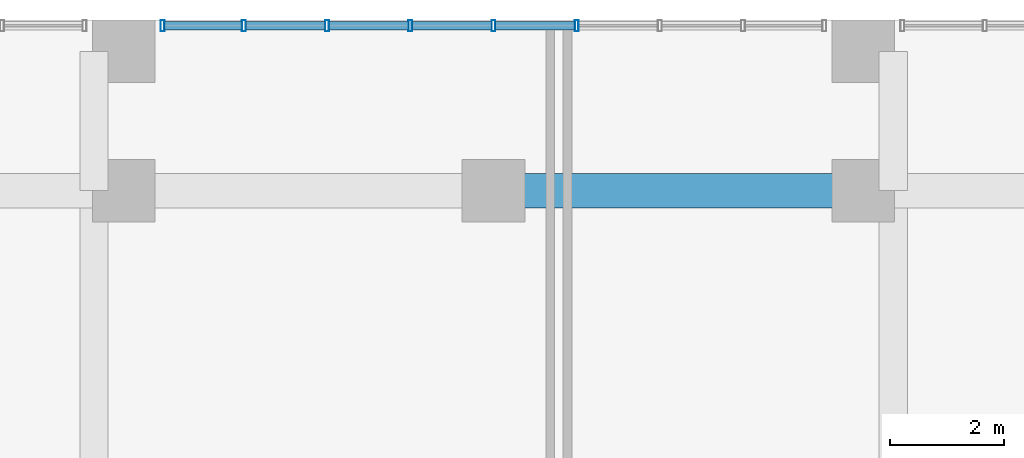
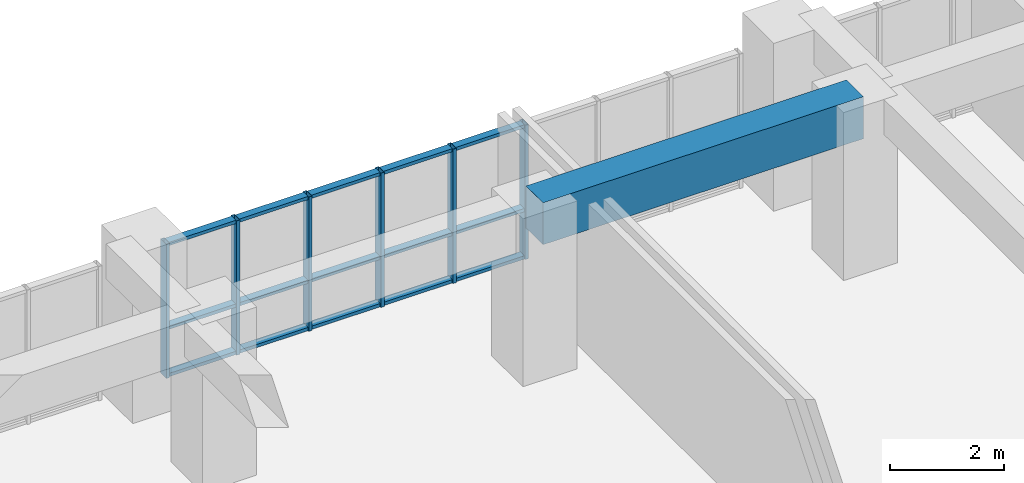
# One storey, part 12 of 30: 21 members, 1 beam, 1 element without a shape of its own.
"""IFC4 building model written with IfcOpenShell, lengths in metres."""

from ifc_helpers import new_model, si_unit, direction, frame, origin, origin_2d, place, context, subcontext, project, spatial, rectangle, hollow_rectangle, extrude, source, transform, mapped, material, layer, layer_set, material_profile, profile_set, type_object, element, aggregate, save


model = new_model("IFC4")

# Units and contexts
model_context = context("Model", 3, precision=1e-05, world=origin(), true_north=direction((0.0, 1.0)))
body_context = subcontext(model_context, "Body", "Model", "MODEL_VIEW")
ifc_project = project(units=[si_unit("LENGTHUNIT", "METRE"), si_unit("AREAUNIT", "SQUARE_METRE"), si_unit("VOLUMEUNIT", "CUBIC_METRE"), si_unit("PLANEANGLEUNIT", "RADIAN"), si_unit("MASSUNIT", "GRAM", prefix="KILO")], contexts=[model_context])

# Site, building, storey
site_placement = place(None, origin())
site = spatial("IfcSite", under=ifc_project, at=site_placement, CompositionType="ELEMENT")
building_placement = place(site_placement, origin())
building = spatial("IfcBuilding", under=site, at=building_placement, Name="Saelheon Loggia Tower", CompositionType="ELEMENT")
storey_placement = place(building_placement, frame((0.0, 0.0, 11.39990234375)))
storey = spatial("IfcBuildingStorey", under=building, at=storey_placement, Name="L03", CompositionType="ELEMENT", Elevation=11.39990234375)

# Beam
ifc_material_1 = material(Name="Concrete C50/60", Category="concrete")
ifc_material_profile_1 = material_profile(ifc_material_1, rectangle(XDim=0.60009765625, YDim=0.89990234375, at=origin_2d()), Name="RC-600x900")
ifc_profile_set_1 = profile_set([ifc_material_profile_1], Name="Concrete C50/60")
beam_type = type_object("IfcBeamType", Name="Beam_MainGirder_RC600x900", PredefinedType="BEAM", material=ifc_profile_set_1)
shared_shape_1 = source(origin(), body_context, "Body", "SweptSolid", [
    extrude(rectangle(XDim=0.60009765625, YDim=0.89990234375, at=origin_2d()), origin(), (0.0, 0.0, 1.0), 6.5),
])
beam_placement = place(storey_placement, frame((38.0, 51.0, 3.150146484375), z_axis=(1.0, 0.0, 0.0), x_axis=(0.0, 1.0, 0.0)))
element("IfcBeam", 1, at=beam_placement, inside=storey, type_object=beam_type, Name="BM-L03-EW-51-6", PredefinedType="BEAM", context=body_context, shape_type="MappedRepresentation", body=[
    mapped(shared_shape_1, transform((0.0, 0.0, 0.0), scale=1.0)),
])

# Curtain wall, members
ifc_material_2 = material(Name="Aluminium 6063-T6 and Low-E IGU", Category="aluminium")
ifc_layer = layer(ifc_material_2, 0.179931640625)
ifc_layer_set = layer_set([ifc_layer], Name="Aluminium 6063-T6 and Low-E IGU")
curtain_wall_type = type_object("IfcCurtainWallType", Name="CW_PodiumClinic", PredefinedType="NOTDEFINED", material=ifc_layer_set)
curtain_wall_placement = place(storey_placement, origin())
curtain_wall = element("IfcCurtainWall", 2, at=curtain_wall_placement, inside=storey, type_object=curtain_wall_type, Name="L03 North Clinic Curtain Wall 2", PredefinedType="NOTDEFINED")
ifc_material_3 = material(Name="Anodised Aluminium 6063-T6", Category="aluminium")
ifc_material_profile_2 = material_profile(ifc_material_3, hollow_rectangle(XDim=0.070068359375, YDim=0.199951171875, WallThickness=0.0048828125, at=origin_2d()), Name="RHS-200x70x5")
ifc_profile_set_2 = profile_set([ifc_material_profile_2], Name="Anodised Aluminium 6063-T6")
member_type_1 = type_object("IfcMemberType", Name="CW_PodiumClinic_Mullion", PredefinedType="MULLION", material=ifc_profile_set_2)
shared_shape_2 = source(origin(), body_context, "Body", "SweptSolid", [
    extrude(hollow_rectangle(XDim=0.070068359375, YDim=0.199951171875, WallThickness=0.0048828125, at=origin_2d()), origin(), (0.0, 0.0, 1.0), 2.880126953125),
])
member_1_placement = place(storey_placement, frame((32.18505859375, 53.89990234375, 0.0), z_axis=(0.0, 0.0, 1.0), x_axis=(1.0, 0.0, 0.0)))
member_1 = element("IfcMember", 3, at=member_1_placement, type_object=member_type_1, Name="CW1 mullion 1", PredefinedType="MULLION", context=body_context, shape_type="MappedRepresentation", body=[
    mapped(shared_shape_2, transform((0.0, 0.0, 0.0), scale=1.0)),
])
member_2_placement = place(storey_placement, frame((33.612548828125, 53.89990234375, 0.0), z_axis=(0.0, 0.0, 1.0), x_axis=(1.0, 0.0, 0.0)))
member_2 = element("IfcMember", 4, at=member_2_placement, type_object=member_type_1, Name="CW1 mullion 2", PredefinedType="MULLION", context=body_context, shape_type="MappedRepresentation", body=[
    mapped(shared_shape_2, transform((0.0, 0.0, 0.0), scale=1.0)),
])
member_3_placement = place(storey_placement, frame((35.074951171875, 53.89990234375, 0.0), z_axis=(0.0, 0.0, 1.0), x_axis=(1.0, 0.0, 0.0)))
member_3 = element("IfcMember", 5, at=member_3_placement, type_object=member_type_1, Name="CW1 mullion 3", PredefinedType="MULLION", context=body_context, shape_type="MappedRepresentation", body=[
    mapped(shared_shape_2, transform((0.0, 0.0, 0.0), scale=1.0)),
])
member_4_placement = place(storey_placement, frame((36.53759765625, 53.89990234375, 0.0), z_axis=(0.0, 0.0, 1.0), x_axis=(1.0, 0.0, 0.0)))
member_4 = element("IfcMember", 6, at=member_4_placement, type_object=member_type_1, Name="CW1 mullion 4", PredefinedType="MULLION", context=body_context, shape_type="MappedRepresentation", body=[
    mapped(shared_shape_2, transform((0.0, 0.0, 0.0), scale=1.0)),
])
member_5_placement = place(storey_placement, frame((38.0, 53.89990234375, 0.0), z_axis=(0.0, 0.0, 1.0), x_axis=(1.0, 0.0, 0.0)))
member_5 = element("IfcMember", 7, at=member_5_placement, type_object=member_type_1, Name="CW1 mullion 5", PredefinedType="MULLION", context=body_context, shape_type="MappedRepresentation", body=[
    mapped(shared_shape_2, transform((0.0, 0.0, 0.0), scale=1.0)),
])
member_6_placement = place(storey_placement, frame((39.46240234375, 53.89990234375, 0.0), z_axis=(0.0, 0.0, 1.0), x_axis=(1.0, 0.0, 0.0)))
member_6 = element("IfcMember", 8, at=member_6_placement, type_object=member_type_1, Name="CW1 mullion 6", PredefinedType="MULLION", context=body_context, shape_type="MappedRepresentation", body=[
    mapped(shared_shape_2, transform((0.0, 0.0, 0.0), scale=1.0)),
])
ifc_material_profile_3 = material_profile(ifc_material_3, hollow_rectangle(XDim=0.070068359375, YDim=0.14990234375, WallThickness=0.0048828125, at=origin_2d()), Name="RHS-150x70x5")
ifc_profile_set_3 = profile_set([ifc_material_profile_3], Name="Anodised Aluminium 6063-T6")
member_type_2 = type_object("IfcMemberType", Name="CW_PodiumClinic_Transom", PredefinedType="USERDEFINED", material=ifc_profile_set_3)
shared_shape_3 = source(origin(), body_context, "Body", "SweptSolid", [
    extrude(hollow_rectangle(XDim=0.070068359375, YDim=0.14990234375, WallThickness=0.0048828125, at=origin_2d()), origin(), (0.0, 0.0, 1.0), 1.357421875),
])
member_7_placement = place(storey_placement, frame((32.219970703125, 53.89990234375, 0.03515625), z_axis=(1.0, 0.0, 0.0), x_axis=(0.0, 0.0, 1.0)))
member_7 = element("IfcMember", 9, at=member_7_placement, type_object=member_type_2, Name="CW1 transom 1.1", ObjectType="TRANSOM", PredefinedType="USERDEFINED", context=body_context, shape_type="MappedRepresentation", body=[
    mapped(shared_shape_3, transform((0.0, 0.0, 0.0), scale=1.0)),
])
member_8_placement = place(storey_placement, frame((32.219970703125, 53.89990234375, 1.050048828125), z_axis=(1.0, 0.0, 0.0), x_axis=(0.0, 0.0, 1.0)))
member_8 = element("IfcMember", 10, at=member_8_placement, type_object=member_type_2, Name="CW1 transom 1.2", ObjectType="TRANSOM", PredefinedType="USERDEFINED", context=body_context, shape_type="MappedRepresentation", body=[
    mapped(shared_shape_3, transform((0.0, 0.0, 0.0), scale=1.0)),
])
member_9_placement = place(storey_placement, frame((32.219970703125, 53.89990234375, 2.84521484375), z_axis=(1.0, 0.0, 0.0), x_axis=(0.0, 0.0, 1.0)))
member_9 = element("IfcMember", 11, at=member_9_placement, type_object=member_type_2, Name="CW1 transom 1.3", ObjectType="TRANSOM", PredefinedType="USERDEFINED", context=body_context, shape_type="MappedRepresentation", body=[
    mapped(shared_shape_3, transform((0.0, 0.0, 0.0), scale=1.0)),
])
shared_shape_4 = source(origin(), body_context, "Body", "SweptSolid", [
    extrude(hollow_rectangle(XDim=0.070068359375, YDim=0.14990234375, WallThickness=0.0048828125, at=origin_2d()), origin(), (0.0, 0.0, 1.0), 1.392578125),
])
member_10_placement = place(storey_placement, frame((33.6474609375, 53.89990234375, 0.03515625), z_axis=(1.0, 0.0, 0.0), x_axis=(0.0, 0.0, 1.0)))
member_10 = element("IfcMember", 12, at=member_10_placement, type_object=member_type_2, Name="CW1 transom 2.1", ObjectType="TRANSOM", PredefinedType="USERDEFINED", context=body_context, shape_type="MappedRepresentation", body=[
    mapped(shared_shape_4, transform((0.0, 0.0, 0.0), scale=1.0)),
])
member_11_placement = place(storey_placement, frame((33.6474609375, 53.89990234375, 1.050048828125), z_axis=(1.0, 0.0, 0.0), x_axis=(0.0, 0.0, 1.0)))
member_11 = element("IfcMember", 13, at=member_11_placement, type_object=member_type_2, Name="CW1 transom 2.2", ObjectType="TRANSOM", PredefinedType="USERDEFINED", context=body_context, shape_type="MappedRepresentation", body=[
    mapped(shared_shape_4, transform((0.0, 0.0, 0.0), scale=1.0)),
])
member_12_placement = place(storey_placement, frame((33.6474609375, 53.89990234375, 2.84521484375), z_axis=(1.0, 0.0, 0.0), x_axis=(0.0, 0.0, 1.0)))
member_12 = element("IfcMember", 14, at=member_12_placement, type_object=member_type_2, Name="CW1 transom 2.3", ObjectType="TRANSOM", PredefinedType="USERDEFINED", context=body_context, shape_type="MappedRepresentation", body=[
    mapped(shared_shape_4, transform((0.0, 0.0, 0.0), scale=1.0)),
])
member_13_placement = place(storey_placement, frame((36.572509765625, 53.89990234375, 0.03515625), z_axis=(1.0, 0.0, 0.0), x_axis=(0.0, 0.0, 1.0)))
member_13 = element("IfcMember", 15, at=member_13_placement, type_object=member_type_2, Name="CW1 transom 4.1", ObjectType="TRANSOM", PredefinedType="USERDEFINED", context=body_context, shape_type="MappedRepresentation", body=[
    mapped(shared_shape_4, transform((0.0, 0.0, 0.0), scale=1.0)),
])
member_14_placement = place(storey_placement, frame((36.572509765625, 53.89990234375, 1.050048828125), z_axis=(1.0, 0.0, 0.0), x_axis=(0.0, 0.0, 1.0)))
member_14 = element("IfcMember", 16, at=member_14_placement, type_object=member_type_2, Name="CW1 transom 4.2", ObjectType="TRANSOM", PredefinedType="USERDEFINED", context=body_context, shape_type="MappedRepresentation", body=[
    mapped(shared_shape_4, transform((0.0, 0.0, 0.0), scale=1.0)),
])
member_15_placement = place(storey_placement, frame((36.572509765625, 53.89990234375, 2.84521484375), z_axis=(1.0, 0.0, 0.0), x_axis=(0.0, 0.0, 1.0)))
member_15 = element("IfcMember", 17, at=member_15_placement, type_object=member_type_2, Name="CW1 transom 4.3", ObjectType="TRANSOM", PredefinedType="USERDEFINED", context=body_context, shape_type="MappedRepresentation", body=[
    mapped(shared_shape_4, transform((0.0, 0.0, 0.0), scale=1.0)),
])
member_16_placement = place(storey_placement, frame((38.034912109375, 53.89990234375, 0.03515625), z_axis=(1.0, 0.0, 0.0), x_axis=(0.0, 0.0, 1.0)))
member_16 = element("IfcMember", 18, at=member_16_placement, type_object=member_type_2, Name="CW1 transom 5.1", ObjectType="TRANSOM", PredefinedType="USERDEFINED", context=body_context, shape_type="MappedRepresentation", body=[
    mapped(shared_shape_4, transform((0.0, 0.0, 0.0), scale=1.0)),
])
member_17_placement = place(storey_placement, frame((38.034912109375, 53.89990234375, 1.050048828125), z_axis=(1.0, 0.0, 0.0), x_axis=(0.0, 0.0, 1.0)))
member_17 = element("IfcMember", 19, at=member_17_placement, type_object=member_type_2, Name="CW1 transom 5.2", ObjectType="TRANSOM", PredefinedType="USERDEFINED", context=body_context, shape_type="MappedRepresentation", body=[
    mapped(shared_shape_4, transform((0.0, 0.0, 0.0), scale=1.0)),
])
member_18_placement = place(storey_placement, frame((38.034912109375, 53.89990234375, 2.84521484375), z_axis=(1.0, 0.0, 0.0), x_axis=(0.0, 0.0, 1.0)))
member_18 = element("IfcMember", 20, at=member_18_placement, type_object=member_type_2, Name="CW1 transom 5.3", ObjectType="TRANSOM", PredefinedType="USERDEFINED", context=body_context, shape_type="MappedRepresentation", body=[
    mapped(shared_shape_4, transform((0.0, 0.0, 0.0), scale=1.0)),
])
shared_shape_5 = source(origin(), body_context, "Body", "SweptSolid", [
    extrude(hollow_rectangle(XDim=0.070068359375, YDim=0.14990234375, WallThickness=0.0048828125, at=origin_2d()), origin(), (0.0, 0.0, 1.0), 1.392333984375),
])
member_19_placement = place(storey_placement, frame((35.110107421875, 53.89990234375, 0.03515625), z_axis=(1.0, 0.0, 0.0), x_axis=(0.0, 0.0, 1.0)))
member_19 = element("IfcMember", 21, at=member_19_placement, type_object=member_type_2, Name="CW1 transom 3.1", ObjectType="TRANSOM", PredefinedType="USERDEFINED", context=body_context, shape_type="MappedRepresentation", body=[
    mapped(shared_shape_5, transform((0.0, 0.0, 0.0), scale=1.0)),
])
member_20_placement = place(storey_placement, frame((35.110107421875, 53.89990234375, 1.050048828125), z_axis=(1.0, 0.0, 0.0), x_axis=(0.0, 0.0, 1.0)))
member_20 = element("IfcMember", 22, at=member_20_placement, type_object=member_type_2, Name="CW1 transom 3.2", ObjectType="TRANSOM", PredefinedType="USERDEFINED", context=body_context, shape_type="MappedRepresentation", body=[
    mapped(shared_shape_5, transform((0.0, 0.0, 0.0), scale=1.0)),
])
member_21_placement = place(storey_placement, frame((35.110107421875, 53.89990234375, 2.84521484375), z_axis=(1.0, 0.0, 0.0), x_axis=(0.0, 0.0, 1.0)))
member_21 = element("IfcMember", 23, at=member_21_placement, type_object=member_type_2, Name="CW1 transom 3.3", ObjectType="TRANSOM", PredefinedType="USERDEFINED", context=body_context, shape_type="MappedRepresentation", body=[
    mapped(shared_shape_5, transform((0.0, 0.0, 0.0), scale=1.0)),
])
aggregate(curtain_wall, [member_1, member_2, member_3, member_4, member_5, member_6, member_7, member_8, member_9, member_10, member_11, member_12, member_19, member_20, member_21, member_13, member_14, member_15, member_16, member_17, member_18])

save(model, "model.ifc")
